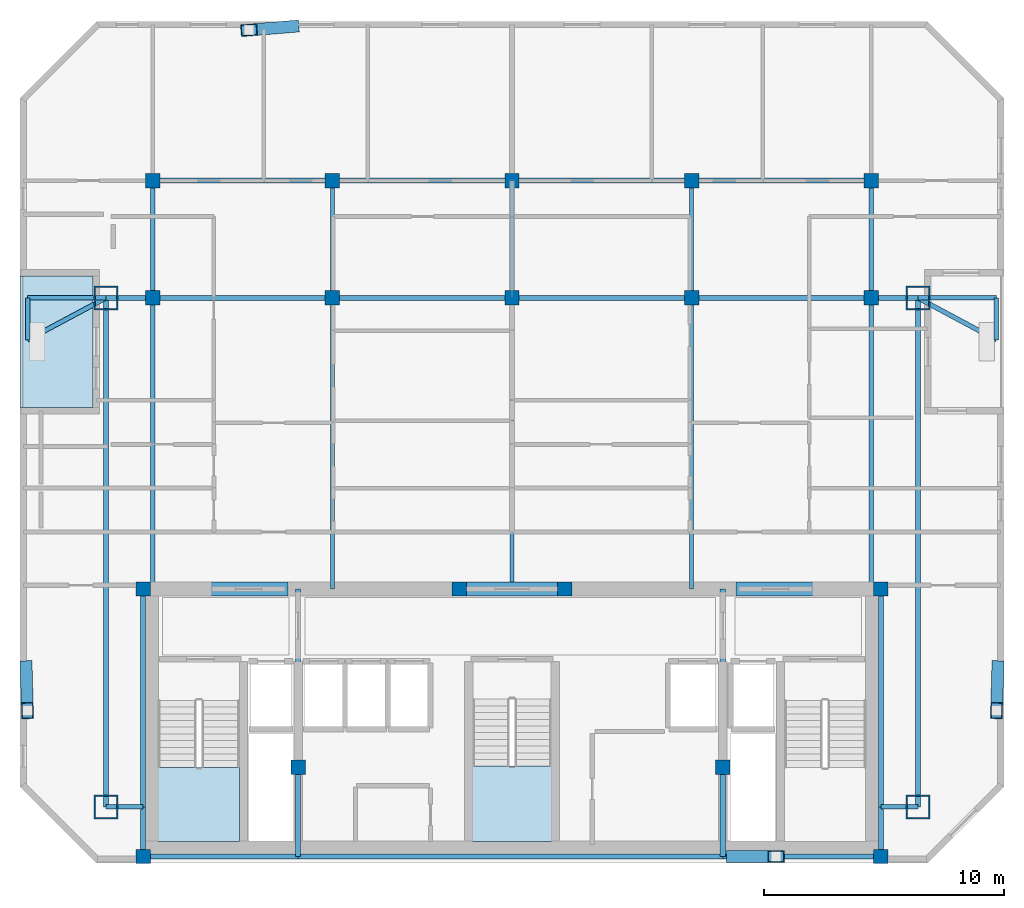
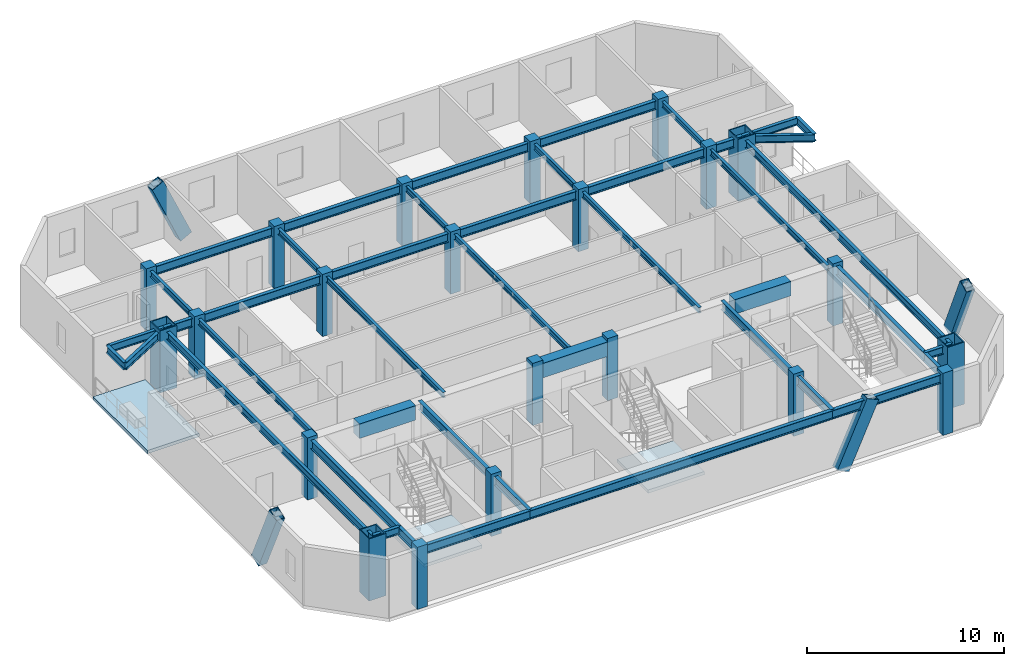
# One storey, part 1 of 7: 44 beams, 22 columns, 4 members, 3 slabs, 2 elements without a shape of their own.
"""IFC4 building model written with IfcOpenShell, lengths in metres."""

from ifc_helpers import new_model, si_unit, direction, frame, origin, origin_2d, place, context, subcontext, project, spatial, polyline, rectangle, hollow_rectangle, i_section, outline, extrude, material, layer, layer_set, material_profile, profile_set, type_object, element, aggregate, save


model = new_model("IFC4")

# Units and contexts
model_context = context("Model", 3, precision=1e-05, world=origin(), true_north=direction((0.0, 1.0)))
body_context = subcontext(model_context, "Body", "Model", "MODEL_VIEW")
ifc_project = project(units=[si_unit("LENGTHUNIT", "METRE"), si_unit("AREAUNIT", "SQUARE_METRE"), si_unit("VOLUMEUNIT", "CUBIC_METRE"), si_unit("PLANEANGLEUNIT", "RADIAN"), si_unit("MASSUNIT", "GRAM", prefix="KILO")], contexts=[model_context])

# Site, building, storey
site_placement = place(None, origin())
site = spatial("IfcSite", under=ifc_project, at=site_placement, CompositionType="ELEMENT")
building_placement = place(site_placement, origin())
building = spatial("IfcBuilding", under=site, at=building_placement, Name="Ventersveld Concourse Tower", CompositionType="ELEMENT")
storey_placement = place(building_placement, frame((0.0, 0.0, 272.14990234375)))
storey = spatial("IfcBuildingStorey", under=building, at=storey_placement, Name="L67", CompositionType="ELEMENT", Elevation=272.14990234375)

# Columns
ifc_material_1 = material(Name="Concrete C50/60", Category="concrete")
ifc_material_profile_1 = material_profile(ifc_material_1, rectangle(XDim=0.60009765625, YDim=0.60009765625, at=origin_2d()), Name="RC 600x600")
ifc_profile_set_1 = profile_set([ifc_material_profile_1], Name="Concrete C50/60")
column_type_1 = type_object("IfcColumnType", Name="COL-RC600", PredefinedType="COLUMN", material=ifc_profile_set_1)
for number, where, z_axis, x_axis, name in (
    (1, (13.35009765625, 0.280029296875, 0.0), (0.0, 0.0, 1.0), (1.0, 0.0, 0.0), "L67 Core Spine Column CC-SW"),
    (2, (44.14990234375, 0.280029296875, 0.0), (0.0, 0.0, 1.0), (1.0, 0.0, 0.0), "L67 Core Spine Column CC-SE"),
    (3, (13.35009765625, 11.449951171875, 0.0), (0.0, 0.0, 1.0), (1.0, 0.0, 0.0), "L67 Core Spine Column CC-NW"),
    (4, (44.14990234375, 11.449951171875, 0.0), (0.0, 0.0, 1.0), (1.0, 0.0, 0.0), "L67 Core Spine Column CC-NE"),
    (5, (19.820068359375, 4.0, 0.0), (0.0, 0.0, 1.0), (1.0, 0.0, 0.0), "L67 Core Spine Column CM-1"),
    (6, (37.550048828125, 4.0, 0.0), (0.0, 0.0, 1.0), (1.0, 0.0, 0.0), "L67 Core Spine Column CM-2"),
    (7, (26.550048828125, 11.449951171875, 0.0), (0.0, 0.0, 1.0), (1.0, 0.0, 0.0), "L67 Core Spine Column CM-3"),
    (8, (30.949951171875, 11.449951171875, 0.0), (0.0, 0.0, 1.0), (1.0, 0.0, 0.0), "L67 Core Spine Column CM-4"),
    (9, (13.75, 23.60009765625, 0.0), (0.0, 0.0, 1.0), (1.0, 0.0, 0.0), "L67 Interior Gravity Column X=13.75 Y=23.60"),
    (10, (21.25, 23.60009765625, 0.0), (0.0, 0.0, 1.0), (1.0, 0.0, 0.0), "L67 Interior Gravity Column X=21.25 Y=23.60"),
    (11, (28.75, 23.60009765625, 0.0), (0.0, 0.0, 1.0), (1.0, 0.0, 0.0), "L67 Interior Gravity Column X=28.75 Y=23.60"),
    (12, (36.25, 23.60009765625, 0.0), (0.0, 0.0, 1.0), (1.0, 0.0, 0.0), "L67 Interior Gravity Column X=36.25 Y=23.60"),
    (13, (43.75, 23.60009765625, 0.0), (0.0, 0.0, 1.0), (1.0, 0.0, 0.0), "L67 Interior Gravity Column X=43.75 Y=23.60"),
    (14, (13.75, 28.5, 0.0), (0.0, 0.0, 1.0), (1.0, 0.0, 0.0), "L67 Upper-North Gravity Column X=13.75 Y=28.50"),
    (15, (21.25, 28.5, 0.0), (0.0, 0.0, 1.0), (1.0, 0.0, 0.0), "L67 Upper-North Gravity Column X=21.25 Y=28.50"),
    (16, (28.75, 28.5, 0.0), (0.0, 0.0, 1.0), (1.0, 0.0, 0.0), "L67 Upper-North Gravity Column X=28.75 Y=28.50"),
    (17, (36.25, 28.5, 0.0), (0.0, 0.0, 1.0), (1.0, 0.0, 0.0), "L67 Upper-North Gravity Column X=36.25 Y=28.50"),
    (18, (43.75, 28.5, 0.0), (0.0, 0.0, 1.0), (1.0, 0.0, 0.0), "L67 Upper-North Gravity Column X=43.75 Y=28.50"),
):
    element("IfcColumn", number, at=place(storey_placement, frame(where, z_axis=z_axis, x_axis=x_axis)), inside=storey, type_object=column_type_1, Name=name, PredefinedType="COLUMN", context=body_context, shape_type="SweptSolid", body=[
        extrude(rectangle(XDim=0.60009765625, YDim=0.60009765625, at=origin_2d()), origin(), (0.0, 0.0, 1.0), 3.85009765625),
    ])
ifc_material_2 = material(Name="Structural steel S460ML", Category="steel")
ifc_material_profile_2 = material_profile(ifc_material_2, hollow_rectangle(XDim=1.0, YDim=1.0, WallThickness=0.06005859375, at=origin_2d()), Name="BOX 1000x1000x60")
ifc_profile_set_2 = profile_set([ifc_material_profile_2], Name="Structural steel S460ML")
column_type_2 = type_object("IfcColumnType", Name="MC-1000", PredefinedType="USERDEFINED", material=ifc_profile_set_2)
for number, where, z_axis, x_axis, name in (
    (19, (11.800048828125, 2.35009765625, 0.0), (0.0, 0.0, 1.0), (1.0, 0.0, 0.0), "L67 Corner Mega-Column MC-SW"),
    (20, (45.699951171875, 2.35009765625, 0.0), (0.0, 0.0, 1.0), (1.0, 0.0, 0.0), "L67 Corner Mega-Column MC-SE"),
    (21, (45.699951171875, 23.60009765625, 0.0), (0.0, 0.0, 1.0), (1.0, 0.0, 0.0), "L67 Corner Mega-Column MC-NE"),
    (22, (11.800048828125, 23.60009765625, 0.0), (0.0, 0.0, 1.0), (1.0, 0.0, 0.0), "L67 Corner Mega-Column MC-NW"),
):
    element("IfcColumn", number, at=place(storey_placement, frame(where, z_axis=z_axis, x_axis=x_axis)), inside=storey, type_object=column_type_2, Name=name, ObjectType="MEGA_COLUMN", PredefinedType="USERDEFINED", context=body_context, shape_type="SweptSolid", body=[
        extrude(hollow_rectangle(XDim=1.0, YDim=1.0, WallThickness=0.06005859375, at=origin_2d()), origin(), (0.0, 0.0, 1.0), 3.85009765625),
    ])

# Beams
ifc_material_3 = material(Name="Structural steel S355J2", Category="steel")
ifc_material_profile_3 = material_profile(ifc_material_3, i_section(OverallWidth=0.17138671875, OverallDepth=0.35498046875, WebThickness=0.00732421875, FlangeThickness=0.011474609375, FilletRadius=0.01025390625, at=origin_2d()), Name="UB 356x171x51")
ifc_profile_set_3 = profile_set([ifc_material_profile_3], Name="Structural steel S355J2")
beam_type_1 = type_object("IfcBeamType", Name="BM-UB356", PredefinedType="BEAM", material=ifc_profile_set_3)
beam_1_placement = place(storey_placement, frame((13.75, 11.449951171875, 3.47265625), z_axis=(0.0, 1.0, 0.0), x_axis=(-1.0, 0.0, 0.0)))
element("IfcBeam", 23, at=beam_1_placement, inside=storey, type_object=beam_type_1, Name="L67 N-S Composite Floor Beam South X=13.75", PredefinedType="BEAM", context=body_context, shape_type="SweptSolid", body=[
    extrude(i_section(OverallWidth=0.17138671875, OverallDepth=0.35498046875, WebThickness=0.00732421875, FlangeThickness=0.011474609375, FilletRadius=0.01025390625, at=origin_2d()), origin(), (0.0, 0.0, 1.0), 12.150146484375),
])
beam_2_placement = place(storey_placement, frame((13.75, 23.60009765625, 3.47265625), z_axis=(0.0, 1.0, 0.0), x_axis=(-1.0, 0.0, 0.0)))
element("IfcBeam", 24, at=beam_2_placement, inside=storey, type_object=beam_type_1, Name="L67 N-S Upper-Zone Floor Beam X=13.75", PredefinedType="BEAM", context=body_context, shape_type="SweptSolid", body=[
    extrude(i_section(OverallWidth=0.17138671875, OverallDepth=0.35498046875, WebThickness=0.00732421875, FlangeThickness=0.011474609375, FilletRadius=0.01025390625, at=origin_2d()), origin(), (0.0, 0.0, 1.0), 4.89990234375),
])
beam_3_placement = place(storey_placement, frame((21.25, 11.449951171875, 3.47265625), z_axis=(0.0, 1.0, 0.0), x_axis=(-1.0, 0.0, 0.0)))
element("IfcBeam", 25, at=beam_3_placement, inside=storey, type_object=beam_type_1, Name="L67 N-S Composite Floor Beam South X=21.25", PredefinedType="BEAM", context=body_context, shape_type="SweptSolid", body=[
    extrude(i_section(OverallWidth=0.17138671875, OverallDepth=0.35498046875, WebThickness=0.00732421875, FlangeThickness=0.011474609375, FilletRadius=0.01025390625, at=origin_2d()), origin(), (0.0, 0.0, 1.0), 12.150146484375),
])
beam_4_placement = place(storey_placement, frame((21.25, 23.60009765625, 3.47265625), z_axis=(0.0, 1.0, 0.0), x_axis=(-1.0, 0.0, 0.0)))
element("IfcBeam", 26, at=beam_4_placement, inside=storey, type_object=beam_type_1, Name="L67 N-S Upper-Zone Floor Beam X=21.25", PredefinedType="BEAM", context=body_context, shape_type="SweptSolid", body=[
    extrude(i_section(OverallWidth=0.17138671875, OverallDepth=0.35498046875, WebThickness=0.00732421875, FlangeThickness=0.011474609375, FilletRadius=0.01025390625, at=origin_2d()), origin(), (0.0, 0.0, 1.0), 4.89990234375),
])
beam_5_placement = place(storey_placement, frame((28.75, 11.449951171875, 3.47265625), z_axis=(0.0, 1.0, 0.0), x_axis=(-1.0, 0.0, 0.0)))
element("IfcBeam", 27, at=beam_5_placement, inside=storey, type_object=beam_type_1, Name="L67 N-S Composite Floor Beam South X=28.75", PredefinedType="BEAM", context=body_context, shape_type="SweptSolid", body=[
    extrude(i_section(OverallWidth=0.17138671875, OverallDepth=0.35498046875, WebThickness=0.00732421875, FlangeThickness=0.011474609375, FilletRadius=0.01025390625, at=origin_2d()), origin(), (0.0, 0.0, 1.0), 12.150146484375),
])
beam_6_placement = place(storey_placement, frame((28.75, 23.60009765625, 3.47265625), z_axis=(0.0, 1.0, 0.0), x_axis=(-1.0, 0.0, 0.0)))
element("IfcBeam", 28, at=beam_6_placement, inside=storey, type_object=beam_type_1, Name="L67 N-S Upper-Zone Floor Beam X=28.75", PredefinedType="BEAM", context=body_context, shape_type="SweptSolid", body=[
    extrude(i_section(OverallWidth=0.17138671875, OverallDepth=0.35498046875, WebThickness=0.00732421875, FlangeThickness=0.011474609375, FilletRadius=0.01025390625, at=origin_2d()), origin(), (0.0, 0.0, 1.0), 4.89990234375),
])
beam_7_placement = place(storey_placement, frame((36.25, 11.449951171875, 3.47265625), z_axis=(0.0, 1.0, 0.0), x_axis=(-1.0, 0.0, 0.0)))
element("IfcBeam", 29, at=beam_7_placement, inside=storey, type_object=beam_type_1, Name="L67 N-S Composite Floor Beam South X=36.25", PredefinedType="BEAM", context=body_context, shape_type="SweptSolid", body=[
    extrude(i_section(OverallWidth=0.17138671875, OverallDepth=0.35498046875, WebThickness=0.00732421875, FlangeThickness=0.011474609375, FilletRadius=0.01025390625, at=origin_2d()), origin(), (0.0, 0.0, 1.0), 12.150146484375),
])
beam_8_placement = place(storey_placement, frame((36.25, 23.60009765625, 3.47265625), z_axis=(0.0, 1.0, 0.0), x_axis=(-1.0, 0.0, 0.0)))
element("IfcBeam", 30, at=beam_8_placement, inside=storey, type_object=beam_type_1, Name="L67 N-S Upper-Zone Floor Beam X=36.25", PredefinedType="BEAM", context=body_context, shape_type="SweptSolid", body=[
    extrude(i_section(OverallWidth=0.17138671875, OverallDepth=0.35498046875, WebThickness=0.00732421875, FlangeThickness=0.011474609375, FilletRadius=0.01025390625, at=origin_2d()), origin(), (0.0, 0.0, 1.0), 4.89990234375),
])
beam_9_placement = place(storey_placement, frame((43.75, 11.449951171875, 3.47265625), z_axis=(0.0, 1.0, 0.0), x_axis=(-1.0, 0.0, 0.0)))
element("IfcBeam", 31, at=beam_9_placement, inside=storey, type_object=beam_type_1, Name="L67 N-S Composite Floor Beam South X=43.75", PredefinedType="BEAM", context=body_context, shape_type="SweptSolid", body=[
    extrude(i_section(OverallWidth=0.17138671875, OverallDepth=0.35498046875, WebThickness=0.00732421875, FlangeThickness=0.011474609375, FilletRadius=0.01025390625, at=origin_2d()), origin(), (0.0, 0.0, 1.0), 12.150146484375),
])
beam_10_placement = place(storey_placement, frame((43.75, 23.60009765625, 3.47265625), z_axis=(0.0, 1.0, 0.0), x_axis=(-1.0, 0.0, 0.0)))
element("IfcBeam", 32, at=beam_10_placement, inside=storey, type_object=beam_type_1, Name="L67 N-S Upper-Zone Floor Beam X=43.75", PredefinedType="BEAM", context=body_context, shape_type="SweptSolid", body=[
    extrude(i_section(OverallWidth=0.17138671875, OverallDepth=0.35498046875, WebThickness=0.00732421875, FlangeThickness=0.011474609375, FilletRadius=0.01025390625, at=origin_2d()), origin(), (0.0, 0.0, 1.0), 4.89990234375),
])
ifc_material_profile_4 = material_profile(ifc_material_1, rectangle(XDim=0.60009765625, YDim=0.89990234375, at=origin_2d()), Name="RC 600x900")
ifc_profile_set_4 = profile_set([ifc_material_profile_4], Name="Concrete C50/60")
beam_type_2 = type_object("IfcBeamType", Name="CB-RC600x900U", PredefinedType="LINTEL", material=ifc_profile_set_4)
beam_11_placement = place(storey_placement, frame((16.10009765625, 11.449951171875, 3.2001953125), z_axis=(1.0, 0.0, 0.0), x_axis=(0.0, 1.0, 0.0)))
element("IfcBeam", 33, at=beam_11_placement, inside=storey, type_object=beam_type_2, Name="L67 Core Coupling Lintel Beam 1", PredefinedType="LINTEL", context=body_context, shape_type="SweptSolid", body=[
    extrude(rectangle(XDim=0.60009765625, YDim=0.89990234375, at=origin_2d()), origin(), (0.0, 0.0, 1.0), 3.2998046875),
])
beam_12_placement = place(storey_placement, frame((26.5, 11.449951171875, 3.2001953125), z_axis=(1.0, 0.0, 0.0), x_axis=(0.0, 1.0, 0.0)))
element("IfcBeam", 34, at=beam_12_placement, inside=storey, type_object=beam_type_2, Name="L67 Core Coupling Lintel Beam 2", PredefinedType="LINTEL", context=body_context, shape_type="SweptSolid", body=[
    extrude(rectangle(XDim=0.60009765625, YDim=0.89990234375, at=origin_2d()), origin(), (0.0, 0.0, 1.0), 4.5),
])
beam_13_placement = place(storey_placement, frame((38.10009765625, 11.449951171875, 3.2001953125), z_axis=(1.0, 0.0, 0.0), x_axis=(0.0, 1.0, 0.0)))
element("IfcBeam", 35, at=beam_13_placement, inside=storey, type_object=beam_type_2, Name="L67 Core Coupling Lintel Beam 3", PredefinedType="LINTEL", context=body_context, shape_type="SweptSolid", body=[
    extrude(rectangle(XDim=0.60009765625, YDim=0.89990234375, at=origin_2d()), origin(), (0.0, 0.0, 1.0), 3.2998046875),
])
ifc_material_profile_5 = material_profile(ifc_material_3, i_section(OverallWidth=0.2119140625, OverallDepth=0.54443359375, WebThickness=0.0126953125, FlangeThickness=0.021240234375, FilletRadius=0.0126953125, at=origin_2d()), Name="UB 533x210x122")
ifc_profile_set_5 = profile_set([ifc_material_profile_5], Name="Structural steel S355J2")
beam_type_3 = type_object("IfcBeamType", Name="GRD-UB533H", PredefinedType="T_BEAM", material=ifc_profile_set_5)
beam_14_placement = place(storey_placement, frame((13.35009765625, 0.280029296875, 3.3779296875), z_axis=(0.0, 1.0, 0.0), x_axis=(-1.0, 0.0, 0.0)))
element("IfcBeam", 36, at=beam_14_placement, inside=storey, type_object=beam_type_3, Name="L67 Core West Tie Beam S", PredefinedType="T_BEAM", context=body_context, shape_type="SweptSolid", body=[
    extrude(i_section(OverallWidth=0.2119140625, OverallDepth=0.54443359375, WebThickness=0.0126953125, FlangeThickness=0.021240234375, FilletRadius=0.0126953125, at=origin_2d()), origin(), (0.0, 0.0, 1.0), 2.070068359375),
])
beam_15_placement = place(storey_placement, frame((13.35009765625, 2.35009765625, 3.3779296875), z_axis=(0.0, 1.0, 0.0), x_axis=(-1.0, 0.0, 0.0)))
element("IfcBeam", 37, at=beam_15_placement, inside=storey, type_object=beam_type_3, Name="L67 Core West Tie Beam N", PredefinedType="T_BEAM", context=body_context, shape_type="SweptSolid", body=[
    extrude(i_section(OverallWidth=0.2119140625, OverallDepth=0.54443359375, WebThickness=0.0126953125, FlangeThickness=0.021240234375, FilletRadius=0.0126953125, at=origin_2d()), origin(), (0.0, 0.0, 1.0), 9.099853515625),
])
beam_16_placement = place(storey_placement, frame((44.14990234375, 0.280029296875, 3.3779296875), z_axis=(0.0, 1.0, 0.0), x_axis=(-1.0, 0.0, 0.0)))
element("IfcBeam", 38, at=beam_16_placement, inside=storey, type_object=beam_type_3, Name="L67 Core East Tie Beam S", PredefinedType="T_BEAM", context=body_context, shape_type="SweptSolid", body=[
    extrude(i_section(OverallWidth=0.2119140625, OverallDepth=0.54443359375, WebThickness=0.0126953125, FlangeThickness=0.021240234375, FilletRadius=0.0126953125, at=origin_2d()), origin(), (0.0, 0.0, 1.0), 2.070068359375),
])
beam_17_placement = place(storey_placement, frame((44.14990234375, 2.35009765625, 3.3779296875), z_axis=(0.0, 1.0, 0.0), x_axis=(-1.0, 0.0, 0.0)))
element("IfcBeam", 39, at=beam_17_placement, inside=storey, type_object=beam_type_3, Name="L67 Core East Tie Beam N", PredefinedType="T_BEAM", context=body_context, shape_type="SweptSolid", body=[
    extrude(i_section(OverallWidth=0.2119140625, OverallDepth=0.54443359375, WebThickness=0.0126953125, FlangeThickness=0.021240234375, FilletRadius=0.0126953125, at=origin_2d()), origin(), (0.0, 0.0, 1.0), 9.099853515625),
])
beam_18_placement = place(storey_placement, frame((13.35009765625, 0.280029296875, 3.3779296875), z_axis=(1.0, 0.0, 0.0), x_axis=(0.0, 1.0, 0.0)))
element("IfcBeam", 40, at=beam_18_placement, inside=storey, type_object=beam_type_3, Name="L67 Core South Tie Beam W", PredefinedType="T_BEAM", context=body_context, shape_type="SweptSolid", body=[
    extrude(i_section(OverallWidth=0.2119140625, OverallDepth=0.54443359375, WebThickness=0.0126953125, FlangeThickness=0.021240234375, FilletRadius=0.0126953125, at=origin_2d()), origin(), (0.0, 0.0, 1.0), 6.469970703125),
])
beam_19_placement = place(storey_placement, frame((19.820068359375, 0.280029296875, 3.3779296875), z_axis=(1.0, 0.0, 0.0), x_axis=(0.0, 1.0, 0.0)))
element("IfcBeam", 41, at=beam_19_placement, inside=storey, type_object=beam_type_3, Name="L67 Core South Tie Beam C", PredefinedType="T_BEAM", context=body_context, shape_type="SweptSolid", body=[
    extrude(i_section(OverallWidth=0.2119140625, OverallDepth=0.54443359375, WebThickness=0.0126953125, FlangeThickness=0.021240234375, FilletRadius=0.0126953125, at=origin_2d()), origin(), (0.0, 0.0, 1.0), 17.72998046875),
])
beam_20_placement = place(storey_placement, frame((37.550048828125, 0.280029296875, 3.3779296875), z_axis=(1.0, 0.0, 0.0), x_axis=(0.0, 1.0, 0.0)))
element("IfcBeam", 42, at=beam_20_placement, inside=storey, type_object=beam_type_3, Name="L67 Core South Tie Beam E", PredefinedType="T_BEAM", context=body_context, shape_type="SweptSolid", body=[
    extrude(i_section(OverallWidth=0.2119140625, OverallDepth=0.54443359375, WebThickness=0.0126953125, FlangeThickness=0.021240234375, FilletRadius=0.0126953125, at=origin_2d()), origin(), (0.0, 0.0, 1.0), 6.599853515625),
])
beam_21_placement = place(storey_placement, frame((19.820068359375, 0.280029296875, 3.3779296875), z_axis=(0.0, 1.0, 0.0), x_axis=(-1.0, 0.0, 0.0)))
element("IfcBeam", 43, at=beam_21_placement, inside=storey, type_object=beam_type_3, Name="L67 Core Spine N-S Tie Beam W1", PredefinedType="T_BEAM", context=body_context, shape_type="SweptSolid", body=[
    extrude(i_section(OverallWidth=0.2119140625, OverallDepth=0.54443359375, WebThickness=0.0126953125, FlangeThickness=0.021240234375, FilletRadius=0.0126953125, at=origin_2d()), origin(), (0.0, 0.0, 1.0), 3.719970703125),
])
beam_22_placement = place(storey_placement, frame((19.820068359375, 4.0, 3.3779296875), z_axis=(0.0, 1.0, 0.0), x_axis=(-1.0, 0.0, 0.0)))
element("IfcBeam", 44, at=beam_22_placement, inside=storey, type_object=beam_type_3, Name="L67 Core Spine N-S Tie Beam W2", PredefinedType="T_BEAM", context=body_context, shape_type="SweptSolid", body=[
    extrude(i_section(OverallWidth=0.2119140625, OverallDepth=0.54443359375, WebThickness=0.0126953125, FlangeThickness=0.021240234375, FilletRadius=0.0126953125, at=origin_2d()), origin(), (0.0, 0.0, 1.0), 7.449951171875),
])
beam_23_placement = place(storey_placement, frame((37.550048828125, 0.280029296875, 3.3779296875), z_axis=(0.0, 1.0, 0.0), x_axis=(-1.0, 0.0, 0.0)))
element("IfcBeam", 45, at=beam_23_placement, inside=storey, type_object=beam_type_3, Name="L67 Core Spine N-S Tie Beam E1", PredefinedType="T_BEAM", context=body_context, shape_type="SweptSolid", body=[
    extrude(i_section(OverallWidth=0.2119140625, OverallDepth=0.54443359375, WebThickness=0.0126953125, FlangeThickness=0.021240234375, FilletRadius=0.0126953125, at=origin_2d()), origin(), (0.0, 0.0, 1.0), 3.719970703125),
])
beam_24_placement = place(storey_placement, frame((37.550048828125, 4.0, 3.3779296875), z_axis=(0.0, 1.0, 0.0), x_axis=(-1.0, 0.0, 0.0)))
element("IfcBeam", 46, at=beam_24_placement, inside=storey, type_object=beam_type_3, Name="L67 Core Spine N-S Tie Beam E2", PredefinedType="T_BEAM", context=body_context, shape_type="SweptSolid", body=[
    extrude(i_section(OverallWidth=0.2119140625, OverallDepth=0.54443359375, WebThickness=0.0126953125, FlangeThickness=0.021240234375, FilletRadius=0.0126953125, at=origin_2d()), origin(), (0.0, 0.0, 1.0), 7.449951171875),
])
beam_25_placement = place(storey_placement, frame((11.800048828125, 23.60009765625, 3.3779296875), z_axis=(1.0, 0.0, 0.0), x_axis=(0.0, 1.0, 0.0)))
element("IfcBeam", 47, at=beam_25_placement, inside=storey, type_object=beam_type_3, Name="L67 Primary E-W Grid Girder Y=23.60 #1", PredefinedType="T_BEAM", context=body_context, shape_type="SweptSolid", body=[
    extrude(i_section(OverallWidth=0.2119140625, OverallDepth=0.54443359375, WebThickness=0.0126953125, FlangeThickness=0.021240234375, FilletRadius=0.0126953125, at=origin_2d()), origin(), (0.0, 0.0, 1.0), 1.949951171875),
])
for number, where, z_axis, x_axis, name in (
    (48, (13.75, 23.60009765625, 3.3779296875), (1.0, 0.0, 0.0), (0.0, 1.0, 0.0), "L67 Primary E-W Grid Girder Y=23.60 #2"),
    (49, (21.25, 23.60009765625, 3.3779296875), (1.0, 0.0, 0.0), (0.0, 1.0, 0.0), "L67 Primary E-W Grid Girder Y=23.60 #3"),
    (50, (28.75, 23.60009765625, 3.3779296875), (1.0, 0.0, 0.0), (0.0, 1.0, 0.0), "L67 Primary E-W Grid Girder Y=23.60 #4"),
    (51, (36.25, 23.60009765625, 3.3779296875), (1.0, 0.0, 0.0), (0.0, 1.0, 0.0), "L67 Primary E-W Grid Girder Y=23.60 #5"),
):
    element("IfcBeam", number, at=place(storey_placement, frame(where, z_axis=z_axis, x_axis=x_axis)), inside=storey, type_object=beam_type_3, Name=name, PredefinedType="T_BEAM", context=body_context, shape_type="SweptSolid", body=[
        extrude(i_section(OverallWidth=0.2119140625, OverallDepth=0.54443359375, WebThickness=0.0126953125, FlangeThickness=0.021240234375, FilletRadius=0.0126953125, at=origin_2d()), origin(), (0.0, 0.0, 1.0), 7.5),
    ])
beam_26_placement = place(storey_placement, frame((43.75, 23.60009765625, 3.3779296875), z_axis=(1.0, 0.0, 0.0), x_axis=(0.0, 1.0, 0.0)))
element("IfcBeam", 52, at=beam_26_placement, inside=storey, type_object=beam_type_3, Name="L67 Primary E-W Grid Girder Y=23.60 #6", PredefinedType="T_BEAM", context=body_context, shape_type="SweptSolid", body=[
    extrude(i_section(OverallWidth=0.2119140625, OverallDepth=0.54443359375, WebThickness=0.0126953125, FlangeThickness=0.021240234375, FilletRadius=0.0126953125, at=origin_2d()), origin(), (0.0, 0.0, 1.0), 1.949951171875),
])
for number, where, z_axis, x_axis, name in (
    (53, (13.75, 28.5, 3.3779296875), (1.0, 0.0, 0.0), (0.0, 1.0, 0.0), "L67 Upper-North E-W Girder Y=28.50 #1"),
    (54, (21.25, 28.5, 3.3779296875), (1.0, 0.0, 0.0), (0.0, 1.0, 0.0), "L67 Upper-North E-W Girder Y=28.50 #2"),
    (55, (28.75, 28.5, 3.3779296875), (1.0, 0.0, 0.0), (0.0, 1.0, 0.0), "L67 Upper-North E-W Girder Y=28.50 #3"),
    (56, (36.25, 28.5, 3.3779296875), (1.0, 0.0, 0.0), (0.0, 1.0, 0.0), "L67 Upper-North E-W Girder Y=28.50 #4"),
):
    element("IfcBeam", number, at=place(storey_placement, frame(where, z_axis=z_axis, x_axis=x_axis)), inside=storey, type_object=beam_type_3, Name=name, PredefinedType="T_BEAM", context=body_context, shape_type="SweptSolid", body=[
        extrude(i_section(OverallWidth=0.2119140625, OverallDepth=0.54443359375, WebThickness=0.0126953125, FlangeThickness=0.021240234375, FilletRadius=0.0126953125, at=origin_2d()), origin(), (0.0, 0.0, 1.0), 7.5),
    ])

# Members
ifc_material_4 = material(Name="Structural steel S355ML", Category="steel")
ifc_material_profile_6 = material_profile(ifc_material_4, hollow_rectangle(XDim=0.5, YDim=0.75, WallThickness=0.034912109375, at=origin_2d()), Name="BOX 750x500x35")
ifc_profile_set_6 = profile_set([ifc_material_profile_6], Name="Structural steel S355ML")
member_type = type_object("IfcMemberType", Name="MB-750x500", PredefinedType="BRACE", material=ifc_profile_set_6)
member_1_placement = place(storey_placement, frame((19.510498046875, 34.92626953125, -0.199951171875), z_axis=(-0.411497937729, -0.033843900563, 0.910782102173), x_axis=(0.081968848657, -0.996634891949, 0.0)))
element("IfcMember", 57, at=member_1_placement, inside=storey, type_object=member_type, Name="L67 Exterior Mega-Brace N (Module M16)", PredefinedType="BRACE", context=body_context, shape_type="SweptSolid", body=[
    extrude(hollow_rectangle(XDim=0.5, YDim=0.75, WallThickness=0.034912109375, at=origin_2d()), origin(), (0.0, 0.0, 1.0), 4.227294921875),
])
member_2_placement = place(storey_placement, frame((38.03955078125, 0.280029296875, -0.199951171875), z_axis=(0.411685814665, 0.0, 0.911325841839), x_axis=(0.0, 1.0, 0.0)))
element("IfcMember", 58, at=member_2_placement, inside=storey, type_object=member_type, Name="L67 Exterior Mega-Brace S (Module M16)", PredefinedType="BRACE", context=body_context, shape_type="SweptSolid", body=[
    extrude(hollow_rectangle(XDim=0.5, YDim=0.75, WallThickness=0.034912109375, at=origin_2d()), origin(), (0.0, 0.0, 1.0), 4.224609375),
])
for number, where, z_axis, x_axis, name in (
    (59, (8.46923828125, 8.110595703125, -0.199951171875), (0.011729994741, -0.411705480446, 0.911241463386), (0.999594371896, 0.028479671227, 0.0), "L67 Exterior Mega-Brace W (Module M16)"),
    (60, (49.03076171875, 8.110595703125, -0.199951171875), (-0.011729994741, -0.411705480446, 0.911241463386), (0.999594371896, -0.028479671227, 0.0), "L67 Exterior Mega-Brace E (Module M16)"),
):
    element("IfcMember", number, at=place(storey_placement, frame(where, z_axis=z_axis, x_axis=x_axis)), inside=storey, type_object=member_type, Name=name, PredefinedType="BRACE", context=body_context, shape_type="SweptSolid", body=[
        extrude(hollow_rectangle(XDim=0.5, YDim=0.75, WallThickness=0.034912109375, at=origin_2d()), origin(), (0.0, 0.0, 1.0), 4.22509765625),
    ])

# Beams
ifc_material_profile_7 = material_profile(ifc_material_3, i_section(OverallWidth=0.19140625, OverallDepth=0.4599609375, WebThickness=0.010009765625, FlangeThickness=0.01611328125, FilletRadius=0.01025390625, at=origin_2d()), Name="UB 457x191x82")
ifc_profile_set_7 = profile_set([ifc_material_profile_7], Name="Structural steel S355J2")
beam_type_4 = type_object("IfcBeamType", Name="SPD-UB457", PredefinedType="SPANDREL", material=ifc_profile_set_7)
for number, where, z_axis, x_axis, name in (
    (61, (11.800048828125, 2.35009765625, 3.420166015625), (1.0, 0.0, 0.0), (0.0, 1.0, 0.0), "L67 SW Spandrel Beam"),
    (62, (44.14990234375, 2.35009765625, 3.420166015625), (1.0, 0.0, 0.0), (0.0, 1.0, 0.0), "L67 SE Spandrel Beam"),
):
    element("IfcBeam", number, at=place(storey_placement, frame(where, z_axis=z_axis, x_axis=x_axis)), inside=storey, type_object=beam_type_4, Name=name, PredefinedType="SPANDREL", context=body_context, shape_type="SweptSolid", body=[
        extrude(i_section(OverallWidth=0.19140625, OverallDepth=0.4599609375, WebThickness=0.010009765625, FlangeThickness=0.01611328125, FilletRadius=0.01025390625, at=origin_2d()), origin(), (0.0, 0.0, 1.0), 1.550048828125),
    ])
for number, where, z_axis, x_axis, name in (
    (63, (11.800048828125, 2.35009765625, 3.420166015625), (0.0, 1.0, 0.0), (-1.0, 0.0, 0.0), "L67 West Spandrel Beam"),
    (64, (45.699951171875, 2.35009765625, 3.420166015625), (0.0, 1.0, 0.0), (-1.0, 0.0, 0.0), "L67 East Spandrel Beam"),
):
    element("IfcBeam", number, at=place(storey_placement, frame(where, z_axis=z_axis, x_axis=x_axis)), inside=storey, type_object=beam_type_4, Name=name, PredefinedType="SPANDREL", context=body_context, shape_type="SweptSolid", body=[
        extrude(i_section(OverallWidth=0.19140625, OverallDepth=0.4599609375, WebThickness=0.010009765625, FlangeThickness=0.01611328125, FilletRadius=0.01025390625, at=origin_2d()), origin(), (0.0, 0.0, 1.0), 21.25),
    ])
beam_27_placement = place(storey_placement, frame((8.531982421875, 23.60009765625, 3.420166015625), z_axis=(1.0, 0.0, 0.0), x_axis=(0.0, 1.0, 0.0)))
element("IfcBeam", 65, at=beam_27_placement, inside=storey, type_object=beam_type_4, Name="L67 West Valley Bracket S", PredefinedType="SPANDREL", context=body_context, shape_type="SweptSolid", body=[
    extrude(i_section(OverallWidth=0.19140625, OverallDepth=0.4599609375, WebThickness=0.010009765625, FlangeThickness=0.01611328125, FilletRadius=0.01025390625, at=origin_2d()), origin(), (0.0, 0.0, 1.0), 3.26806640625),
])
beam_28_placement = place(storey_placement, frame((8.531982421875, 21.85009765625, 3.420166015625), z_axis=(0.881564153992, 0.472064235456, 0.0), x_axis=(-0.472064235456, 0.881564153992, 0.0)))
element("IfcBeam", 66, at=beam_28_placement, inside=storey, type_object=beam_type_4, Name="L67 West Valley Diagonal Bracket", PredefinedType="SPANDREL", context=body_context, shape_type="SweptSolid", body=[
    extrude(i_section(OverallWidth=0.19140625, OverallDepth=0.4599609375, WebThickness=0.010009765625, FlangeThickness=0.01611328125, FilletRadius=0.01025390625, at=origin_2d()), origin(), (0.0, 0.0, 1.0), 3.70703125),
])
beam_29_placement = place(storey_placement, frame((8.531982421875, 21.85009765625, 3.420166015625), z_axis=(0.0, 1.0, 0.0), x_axis=(-1.0, 0.0, 0.0)))
element("IfcBeam", 67, at=beam_29_placement, inside=storey, type_object=beam_type_4, Name="L67 West Valley Edge Beam", PredefinedType="SPANDREL", context=body_context, shape_type="SweptSolid", body=[
    extrude(i_section(OverallWidth=0.19140625, OverallDepth=0.4599609375, WebThickness=0.010009765625, FlangeThickness=0.01611328125, FilletRadius=0.01025390625, at=origin_2d()), origin(), (0.0, 0.0, 1.0), 1.75),
])
beam_30_placement = place(storey_placement, frame((45.699951171875, 23.60009765625, 3.420166015625), z_axis=(1.0, 0.0, 0.0), x_axis=(0.0, 1.0, 0.0)))
element("IfcBeam", 68, at=beam_30_placement, inside=storey, type_object=beam_type_4, Name="L67 East Valley Bracket S", PredefinedType="SPANDREL", context=body_context, shape_type="SweptSolid", body=[
    extrude(i_section(OverallWidth=0.19140625, OverallDepth=0.4599609375, WebThickness=0.010009765625, FlangeThickness=0.01611328125, FilletRadius=0.01025390625, at=origin_2d()), origin(), (0.0, 0.0, 1.0), 3.26806640625),
])
beam_31_placement = place(storey_placement, frame((45.699951171875, 23.60009765625, 3.420166015625), z_axis=(0.881564153992, -0.472064235456, 0.0), x_axis=(0.472064235456, 0.881564153992, 0.0)))
element("IfcBeam", 69, at=beam_31_placement, inside=storey, type_object=beam_type_4, Name="L67 East Valley Diagonal Bracket", PredefinedType="SPANDREL", context=body_context, shape_type="SweptSolid", body=[
    extrude(i_section(OverallWidth=0.19140625, OverallDepth=0.4599609375, WebThickness=0.010009765625, FlangeThickness=0.01611328125, FilletRadius=0.01025390625, at=origin_2d()), origin(), (0.0, 0.0, 1.0), 3.70703125),
])
beam_32_placement = place(storey_placement, frame((48.968017578125, 21.85009765625, 3.420166015625), z_axis=(0.0, 1.0, 0.0), x_axis=(-1.0, 0.0, 0.0)))
element("IfcBeam", 70, at=beam_32_placement, inside=storey, type_object=beam_type_4, Name="L67 East Valley Edge Beam", PredefinedType="SPANDREL", context=body_context, shape_type="SweptSolid", body=[
    extrude(i_section(OverallWidth=0.19140625, OverallDepth=0.4599609375, WebThickness=0.010009765625, FlangeThickness=0.01611328125, FilletRadius=0.01025390625, at=origin_2d()), origin(), (0.0, 0.0, 1.0), 1.75),
])

# Slab
ifc_layer_1 = layer(ifc_material_1, 0.199951171875)
ifc_layer_set_1 = layer_set([ifc_layer_1], Name="Concrete C50/60")
slab_type_1 = type_object("IfcSlabType", Name="SL-FLR-200", PredefinedType="FLOOR", material=ifc_layer_set_1)
slab_1_placement = place(storey_placement, frame((0.0, 0.0, -0.199951171875)))
element("IfcSlab", 71, at=slab_1_placement, inside=storey, type_object=slab_type_1, Name="L67 Outdoor Terrace Slab NOTCH-W", PredefinedType="FLOOR", context=body_context, shape_type="SweptSolid", body=[
    extrude(outline(polyline([(8.2109375, 19.02197265625), (11.260986328125, 19.02197265625), (11.260986328125, 24.52197265625), (8.2109375, 24.52197265625), (8.2109375, 19.02197265625)])), origin(), (0.0, 0.0, 1.0), 0.199951171875),
])

# Stair, slab
stair_type_1 = type_object("IfcStairType", Name="ST-DOG-160", PredefinedType="HALF_TURN_STAIR", material=ifc_material_1)
stair_1_placement = place(storey_placement, origin())
stair_1 = element("IfcStair", 72, at=stair_1_placement, inside=storey, type_object=stair_type_1, Name="L67 Protected Tower Escape Stair ST-01", PredefinedType="HALF_TURN_STAIR")
ifc_layer_2 = layer(ifc_material_1, 0.199951171875)
ifc_layer_set_2 = layer_set([ifc_layer_2], Name="Concrete C50/60")
slab_type_2 = type_object("IfcSlabType", Name="SL-LND-200", PredefinedType="LANDING", material=ifc_layer_set_2)
slab_2_placement = place(storey_placement, frame((0.0, 0.0, 1.72509765625)))
slab_2 = element("IfcSlab", 73, at=slab_2_placement, type_object=slab_type_2, Name="ST-01 landing 1", PredefinedType="LANDING", context=body_context, shape_type="SweptSolid", body=[
    extrude(outline(polyline([(13.97998046875, 4.0), (13.97998046875, 0.89990234375), (17.3798828125, 0.89990234375), (17.3798828125, 4.0), (13.97998046875, 4.0)])), origin(), (0.0, 0.0, 1.0), 0.199951171875),
])
aggregate(stair_1, [slab_2])

stair_type_2 = type_object("IfcStairType", Name="ST-DOG-155", PredefinedType="HALF_TURN_STAIR", material=ifc_material_1)
stair_2_placement = place(storey_placement, origin())
stair_2 = element("IfcStair", 74, at=stair_2_placement, inside=storey, type_object=stair_type_2, Name="L67 Protected Central Core Escape Stair ST-03", PredefinedType="HALF_TURN_STAIR")
slab_3_placement = place(storey_placement, frame((0.0, 0.0, 1.72509765625)))
slab_3 = element("IfcSlab", 75, at=slab_3_placement, type_object=slab_type_2, Name="ST-03 landing 1", PredefinedType="LANDING", context=body_context, shape_type="SweptSolid", body=[
    extrude(outline(polyline([(27.10009765625, 4.050048828125), (27.10009765625, 0.89990234375), (30.39990234375, 0.89990234375), (30.39990234375, 4.050048828125), (27.10009765625, 4.050048828125)])), origin(), (0.0, 0.0, 1.0), 0.199951171875),
])
aggregate(stair_2, [slab_3])

save(model, "model.ifc")
